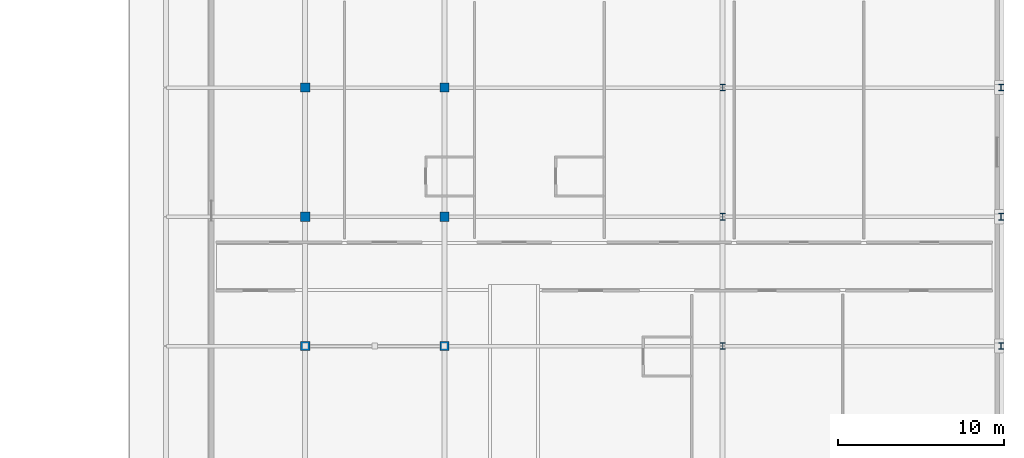
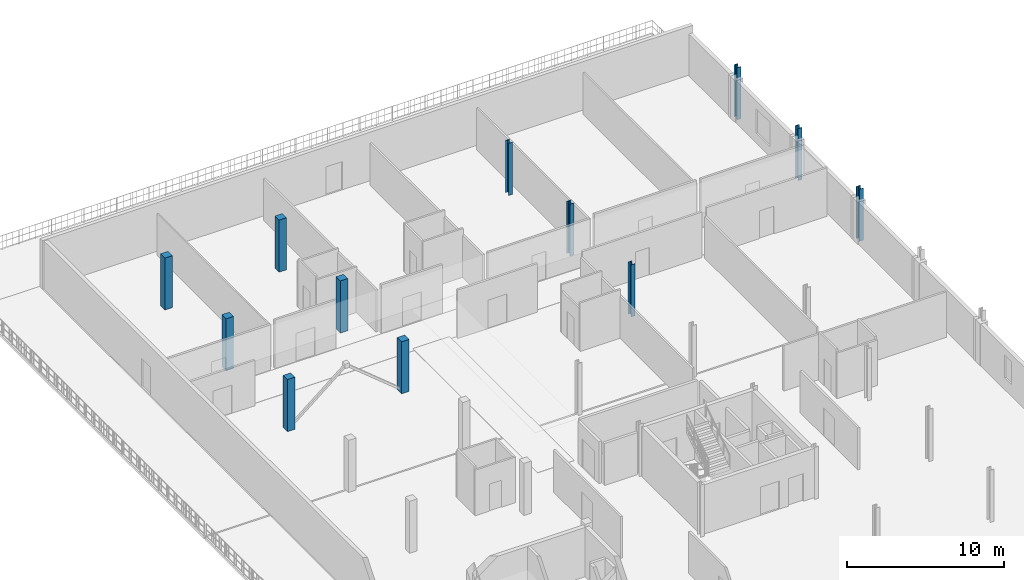
# One storey, part 3 of 20: 12 columns.
"""IFC4 building model written with IfcOpenShell, lengths in metres."""

from ifc_helpers import new_model, si_unit, direction, frame, origin, origin_2d, place, context, subcontext, project, spatial, rectangle, i_section, extrude, material, material_profile, profile_set, type_object, element, save


model = new_model("IFC4")

# Units and contexts
model_context = context("Model", 3, precision=1e-05, world=origin(), true_north=direction((0.0, 1.0)))
body_context = subcontext(model_context, "Body", "Model", "MODEL_VIEW")
ifc_project = project(units=[si_unit("LENGTHUNIT", "METRE"), si_unit("AREAUNIT", "SQUARE_METRE"), si_unit("VOLUMEUNIT", "CUBIC_METRE"), si_unit("PLANEANGLEUNIT", "RADIAN"), si_unit("MASSUNIT", "GRAM", prefix="KILO")], contexts=[model_context])

# Site, building, storey
site_placement = place(None, origin())
site = spatial("IfcSite", under=ifc_project, at=site_placement, CompositionType="ELEMENT")
building_placement = place(site_placement, origin())
building = spatial("IfcBuilding", under=site, at=building_placement, Name="Nabrawat Pavilion Hospital", CompositionType="ELEMENT")
storey_placement = place(building_placement, frame((0.0, 0.0, 27.0)))
storey = spatial("IfcBuildingStorey", under=building, at=storey_placement, Name="L06", CompositionType="ELEMENT", Elevation=27.0)

# Columns
ifc_material_1 = material(Name="Steel S355", Category="steel")
ifc_material_profile_1 = material_profile(ifc_material_1, i_section(OverallWidth=0.300048828125, OverallDepth=0.39990234375, WebThickness=0.013427734375, FlangeThickness=0.02392578125, FilletRadius=0.027099609375, at=origin_2d()), Name="HEB 400")
ifc_profile_set_1 = profile_set([ifc_material_profile_1], Name="Steel S355")
column_type_1 = type_object("IfcColumnType", Name="Composite Steel Column HEB 400", PredefinedType="COLUMN", material=ifc_profile_set_1)
for number, where, z_axis, x_axis, name in (
    (1, (176.39990234375, 93.60009765625, 0.0), (0.0, 0.0, 1.0), (1.0, 0.0, 0.0), "L06 Structural Column G-22-N"),
    (2, (176.39990234375, 101.39990234375, 0.0), (0.0, 0.0, 1.0), (1.0, 0.0, 0.0), "L06 Structural Column G-22-P"),
    (3, (176.39990234375, 109.199951171875, 0.0), (0.0, 0.0, 1.0), (1.0, 0.0, 0.0), "L06 Structural Column G-22-Q"),
    (4, (193.199951171875, 93.60009765625, 0.0), (0.0, 0.0, 1.0), (1.0, 0.0, 0.0), "L06 Structural Column G-24-N"),
    (5, (193.199951171875, 101.39990234375, 0.0), (0.0, 0.0, 1.0), (1.0, 0.0, 0.0), "L06 Structural Column G-24-P"),
    (6, (193.199951171875, 109.199951171875, 0.0), (0.0, 0.0, 1.0), (1.0, 0.0, 0.0), "L06 Structural Column G-24-Q"),
):
    element("IfcColumn", number, at=place(storey_placement, frame(where, z_axis=z_axis, x_axis=x_axis)), inside=storey, type_object=column_type_1, Name=name, PredefinedType="COLUMN", context=body_context, shape_type="SweptSolid", body=[
        extrude(i_section(OverallWidth=0.300048828125, OverallDepth=0.39990234375, WebThickness=0.013427734375, FlangeThickness=0.02392578125, FilletRadius=0.027099609375, at=origin_2d()), origin(), (0.0, 0.0, 1.0), 4.050048828125),
    ])
ifc_material_2 = material(Name="Concrete C40/50", Category="concrete")
ifc_material_profile_2 = material_profile(ifc_material_2, rectangle(XDim=0.550048828125, YDim=0.550048828125, at=origin_2d()), Name="RC 550x550")
ifc_profile_set_2 = profile_set([ifc_material_profile_2], Name="Concrete C40/50")
column_type_2 = type_object("IfcColumnType", Name="Top Ward RC Column 550x550", PredefinedType="COLUMN", material=ifc_profile_set_2)
for number, where, z_axis, x_axis, name in (
    (7, (151.199951171875, 93.60009765625, 0.0), (0.0, 0.0, 1.0), (1.0, 0.0, 0.0), "L06 Structural Column G-19-N"),
    (8, (151.199951171875, 101.39990234375, 0.0), (0.0, 0.0, 1.0), (1.0, 0.0, 0.0), "L06 Structural Column G-19-P"),
    (9, (151.199951171875, 109.199951171875, 0.0), (0.0, 0.0, 1.0), (1.0, 0.0, 0.0), "L06 Structural Column G-19-Q"),
    (10, (159.60009765625, 93.60009765625, 0.0), (0.0, 0.0, 1.0), (1.0, 0.0, 0.0), "L06 Structural Column G-20-N"),
    (11, (159.60009765625, 101.39990234375, 0.0), (0.0, 0.0, 1.0), (1.0, 0.0, 0.0), "L06 Structural Column G-20-P"),
    (12, (159.60009765625, 109.199951171875, 0.0), (0.0, 0.0, 1.0), (1.0, 0.0, 0.0), "L06 Structural Column G-20-Q"),
):
    element("IfcColumn", number, at=place(storey_placement, frame(where, z_axis=z_axis, x_axis=x_axis)), inside=storey, type_object=column_type_2, Name=name, PredefinedType="COLUMN", context=body_context, shape_type="SweptSolid", body=[
        extrude(rectangle(XDim=0.550048828125, YDim=0.550048828125, at=origin_2d()), origin(), (0.0, 0.0, 1.0), 4.050048828125),
    ])

save(model, "model.ifc")
